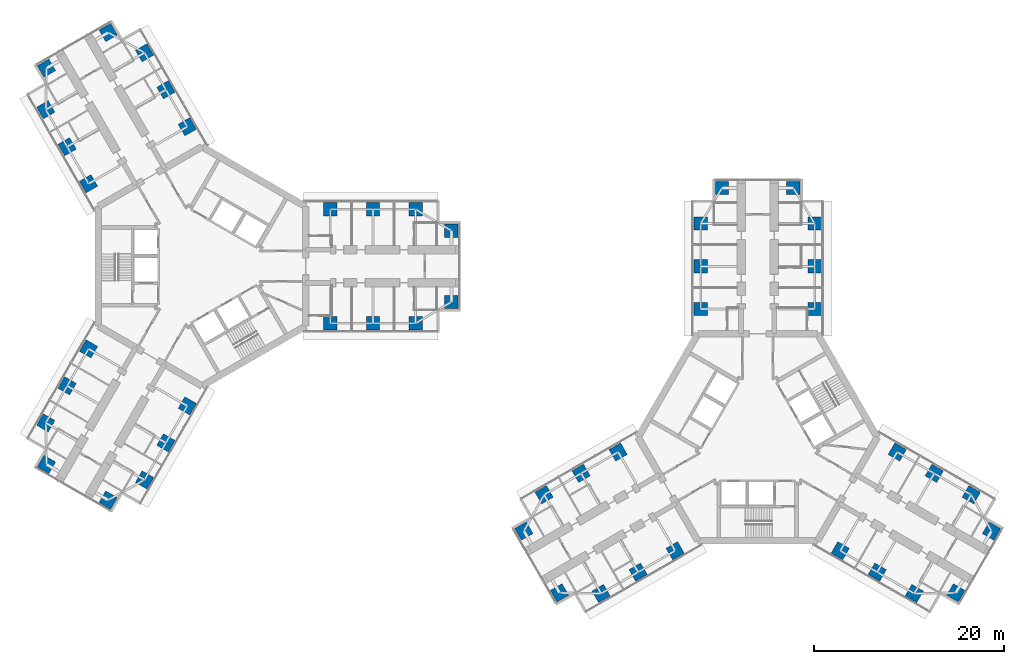
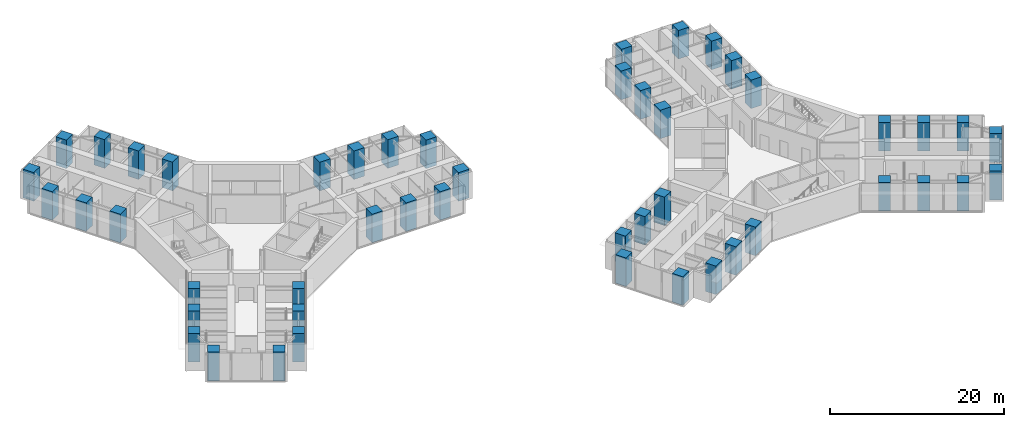
# One storey, part 1 of 25: 48 columns.
"""IFC4 building model written with IfcOpenShell, lengths in metres."""

from ifc_helpers import new_model, si_unit, direction, frame, origin, origin_2d, place, context, subcontext, project, spatial, rectangle, extrude, material, material_profile, profile_set, type_object, element, save


model = new_model("IFC4")

# Units and contexts
model_context = context("Model", 3, precision=1e-05, world=origin(), true_north=direction((0.0, 1.0)))
body_context = subcontext(model_context, "Body", "Model", "MODEL_VIEW")
ifc_project = project(units=[si_unit("LENGTHUNIT", "METRE"), si_unit("AREAUNIT", "SQUARE_METRE"), si_unit("VOLUMEUNIT", "CUBIC_METRE"), si_unit("PLANEANGLEUNIT", "RADIAN"), si_unit("MASSUNIT", "GRAM", prefix="KILO")], contexts=[model_context])

# Site, building, storey
site_placement = place(None, origin())
site = spatial("IfcSite", under=ifc_project, at=site_placement, CompositionType="ELEMENT")
building_placement = place(site_placement, origin())
building = spatial("IfcBuilding", under=site, at=building_placement, Name="Upepo Twin Towers", CompositionType="ELEMENT")
storey_placement = place(building_placement, frame((0.0, 0.0, 80.5)))
storey = spatial("IfcBuildingStorey", under=building, at=storey_placement, Name="L19", CompositionType="ELEMENT", Elevation=80.5)

# Columns
ifc_material = material(Name="Concrete C60/75", Category="concrete")
ifc_material_profile = material_profile(ifc_material, rectangle(XDim=1.39990234375, YDim=1.39990234375, at=origin_2d()), Name="RC 1400x1400")
ifc_profile_set = profile_set([ifc_material_profile], Name="Concrete C60/75")
column_type = type_object("IfcColumnType", Name="Tower column RC 1400x1400", PredefinedType="COLUMN", material=ifc_profile_set)
for number, where, z_axis, x_axis, name in (
    (1, (13.5, 6.0, 0.0), (0.0, 0.0, 1.0), (1.0, 0.0, 0.0), "T1 column AL135"),
    (2, (13.5, -6.0, 0.0), (0.0, 0.0, 1.0), (1.0, 0.0, 0.0), "T1 column AR135"),
    (3, (18.0, 6.0, 0.0), (0.0, 0.0, 1.0), (1.0, 0.0, 0.0), "T1 column AL180"),
    (4, (18.0, -6.0, 0.0), (0.0, 0.0, 1.0), (1.0, 0.0, 0.0), "T1 column AR180"),
    (5, (22.5, 6.0, 0.0), (0.0, 0.0, 1.0), (1.0, 0.0, 0.0), "T1 column AL225"),
    (6, (22.5, -6.0, 0.0), (0.0, 0.0, 1.0), (1.0, 0.0, 0.0), "T1 column AR225"),
    (7, (26.25, 3.75, 0.0), (0.0, 0.0, 1.0), (1.0, 0.0, 0.0), "T1 column ALN"),
    (8, (26.25, -3.75, 0.0), (0.0, 0.0, 1.0), (1.0, 0.0, 0.0), "T1 column ARN"),
    (9, (-11.946044921875, 8.69140625, 0.0), (0.0, 0.0, 1.0), (0.866025403784, 0.5, 0.0), "T1 column BL135"),
    (10, (-1.553955078125, 14.69140625, 0.0), (0.0, 0.0, 1.0), (0.866025403784, 0.5, 0.0), "T1 column BR135"),
    (11, (-14.196044921875, 12.58837890625, 0.0), (0.0, 0.0, 1.0), (0.866025403784, 0.5, 0.0), "T1 column BL180"),
    (12, (-3.803955078125, 18.58837890625, 0.0), (0.0, 0.0, 1.0), (0.866025403784, 0.5, 0.0), "T1 column BR180"),
    (13, (-16.446044921875, 16.485595703125, 0.0), (0.0, 0.0, 1.0), (0.866025403784, 0.5, 0.0), "T1 column BL225"),
    (14, (-6.053955078125, 22.485595703125, 0.0), (0.0, 0.0, 1.0), (0.866025403784, 0.5, 0.0), "T1 column BR225"),
    (15, (-16.37255859375, 20.858154296875, 0.0), (0.0, 0.0, 1.0), (0.866025403784, 0.5, 0.0), "T1 column BLN"),
    (16, (-9.87744140625, 24.608154296875, 0.0), (0.0, 0.0, 1.0), (0.866025403784, 0.5, 0.0), "T1 column BRN"),
    (17, (-1.553955078125, -14.69140625, 0.0), (0.0, 0.0, 1.0), (0.5, 0.866025403784, 0.0), "T1 column CL135"),
    (18, (-11.946044921875, -8.69140625, 0.0), (0.0, 0.0, 1.0), (0.5, 0.866025403784, 0.0), "T1 column CR135"),
    (19, (-3.803955078125, -18.58837890625, 0.0), (0.0, 0.0, 1.0), (0.5, 0.866025403784, 0.0), "T1 column CL180"),
    (20, (-14.196044921875, -12.58837890625, 0.0), (0.0, 0.0, 1.0), (0.5, 0.866025403784, 0.0), "T1 column CR180"),
    (21, (-6.053955078125, -22.485595703125, 0.0), (0.0, 0.0, 1.0), (0.5, 0.866025403784, 0.0), "T1 column CL225"),
    (22, (-16.446044921875, -16.485595703125, 0.0), (0.0, 0.0, 1.0), (0.5, 0.866025403784, 0.0), "T1 column CR225"),
    (23, (-9.87744140625, -24.608154296875, 0.0), (0.0, 0.0, 1.0), (0.5, 0.866025403784, 0.0), "T1 column CLN"),
    (24, (-16.37255859375, -20.858154296875, 0.0), (0.0, 0.0, 1.0), (0.5, 0.866025403784, 0.0), "T1 column CRN"),
    (25, (52.5, -4.5, 0.0), (0.0, 0.0, 1.0), (1.0, 0.0, 0.0), "T2 column AL135"),
    (26, (64.5, -4.5, 0.0), (0.0, 0.0, 1.0), (1.0, 0.0, 0.0), "T2 column AR135"),
    (27, (52.5, 0.0, 0.0), (0.0, 0.0, 1.0), (1.0, 0.0, 0.0), "T2 column AL180"),
    (28, (64.5, 0.0, 0.0), (0.0, 0.0, 1.0), (1.0, 0.0, 0.0), "T2 column AR180"),
    (29, (52.5, 4.5, 0.0), (0.0, 0.0, 1.0), (1.0, 0.0, 0.0), "T2 column AL225"),
    (30, (64.5, 4.5, 0.0), (0.0, 0.0, 1.0), (1.0, 0.0, 0.0), "T2 column AR225"),
    (31, (54.75, 8.25, 0.0), (0.0, 0.0, 1.0), (1.0, 0.0, 0.0), "T2 column ALN"),
    (32, (62.25, 8.25, 0.0), (0.0, 0.0, 1.0), (1.0, 0.0, 0.0), "T2 column ARN"),
    (33, (49.80859375, -29.946044921875, 0.0), (0.0, 0.0, 1.0), (0.866025403784, 0.5, 0.0), "T2 column BL135"),
    (34, (43.80859375, -19.553955078125, 0.0), (0.0, 0.0, 1.0), (0.866025403784, 0.5, 0.0), "T2 column BR135"),
    (35, (45.91162109375, -32.196044921875, 0.0), (0.0, 0.0, 1.0), (0.866025403784, 0.5, 0.0), "T2 column BL180"),
    (36, (39.91162109375, -21.803955078125, 0.0), (0.0, 0.0, 1.0), (0.866025403784, 0.5, 0.0), "T2 column BR180"),
    (37, (42.014404296875, -34.446044921875, 0.0), (0.0, 0.0, 1.0), (0.866025403784, 0.5, 0.0), "T2 column BL225"),
    (38, (36.014404296875, -24.053955078125, 0.0), (0.0, 0.0, 1.0), (0.866025403784, 0.5, 0.0), "T2 column BR225"),
    (39, (37.641845703125, -34.37255859375, 0.0), (0.0, 0.0, 1.0), (0.866025403784, 0.5, 0.0), "T2 column BLN"),
    (40, (33.891845703125, -27.87744140625, 0.0), (0.0, 0.0, 1.0), (0.866025403784, 0.5, 0.0), "T2 column BRN"),
    (41, (73.19140625, -19.553955078125, 0.0), (0.0, 0.0, 1.0), (0.5, 0.866025403784, 0.0), "T2 column CL135"),
    (42, (67.19140625, -29.946044921875, 0.0), (0.0, 0.0, 1.0), (0.5, 0.866025403784, 0.0), "T2 column CR135"),
    (43, (77.08837890625, -21.803955078125, 0.0), (0.0, 0.0, 1.0), (0.5, 0.866025403784, 0.0), "T2 column CL180"),
    (44, (71.08837890625, -32.196044921875, 0.0), (0.0, 0.0, 1.0), (0.5, 0.866025403784, 0.0), "T2 column CR180"),
    (45, (80.985595703125, -24.053955078125, 0.0), (0.0, 0.0, 1.0), (0.5, 0.866025403784, 0.0), "T2 column CL225"),
    (46, (74.985595703125, -34.446044921875, 0.0), (0.0, 0.0, 1.0), (0.5, 0.866025403784, 0.0), "T2 column CR225"),
    (47, (83.108154296875, -27.87744140625, 0.0), (0.0, 0.0, 1.0), (0.5, 0.866025403784, 0.0), "T2 column CLN"),
    (48, (79.358154296875, -34.37255859375, 0.0), (0.0, 0.0, 1.0), (0.5, 0.866025403784, 0.0), "T2 column CRN"),
):
    element("IfcColumn", number, at=place(storey_placement, frame(where, z_axis=z_axis, x_axis=x_axis)), inside=storey, type_object=column_type, Name=name, PredefinedType="COLUMN", context=body_context, shape_type="SweptSolid", body=[
        extrude(rectangle(XDim=1.39990234375, YDim=1.39990234375, at=origin_2d()), origin(), (0.0, 0.0, 1.0), 4.0),
    ])

save(model, "model.ifc")
